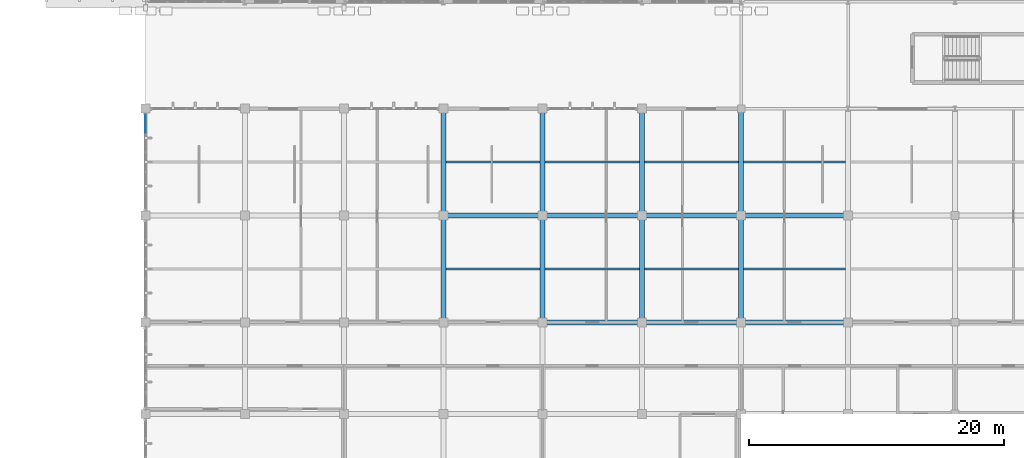
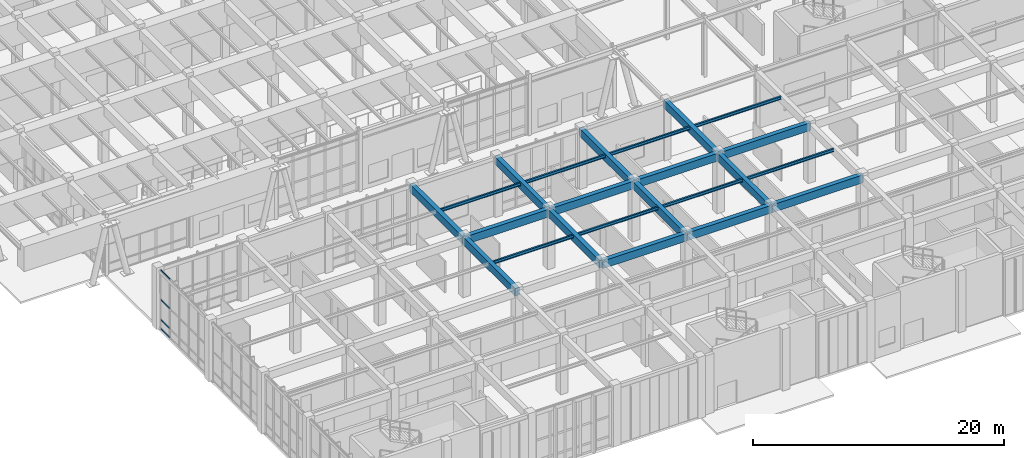
# One storey, part 18 of 110: 23 beams, 4 members, 1 element without a shape of its own.
"""IFC4 building model written with IfcOpenShell, lengths in metres."""

import ifcopenshell
import ifcopenshell.guid

model = None  # the IFC model being written
_history = None  # IfcOwnerHistory: only IFC2X3 demands one
_inside = {}  # id of a spatial element -> (the spatial element, [elements in it])
_under = {}  # id of a project, library or spatial element -> (it, [spatial elements below it])
_declared = {}  # id of a project -> (the project, [libraries it declares])
_typed = {}  # id of a type object -> (the type object, [elements of that type])
_made_of = {}  # id of a material, layer set ... -> (it, [elements and type objects made of it])


def new_model(schema):
    """Start an empty IFC model of exactly this schema.

    Asked for "IFC4X3", IfcOpenShell would pick the latest addendum, in which some entities
    have other attributes; the version numbers below select the first issue.
    IFC2X3 requires an IfcOwnerHistory on every rooted entity: one is made here for all.
    """
    global model, _history
    if schema == "IFC4X3":
        model = ifcopenshell.file(schema_version=(4, 3, 0, 0))
    else:
        model = ifcopenshell.file(schema=schema)
    _inside.clear()
    _under.clear()
    _declared.clear()
    _typed.clear()
    _made_of.clear()
    _history = None
    if model.schema == "IFC2X3":
        org = make("IfcOrganization", Name="unknown")
        user = make(
            "IfcPersonAndOrganization",
            ThePerson=make("IfcPerson", FamilyName="unknown"),
            TheOrganization=org,
        )
        app = make(
            "IfcApplication",
            ApplicationDeveloper=org,
            Version="unknown",
            ApplicationFullName="unknown",
            ApplicationIdentifier="unknown",
        )
        _history = make(
            "IfcOwnerHistory",
            OwningUser=user,
            OwningApplication=app,
            ChangeAction="ADDED",
            CreationDate=0,
        )
    return model


def make(cls, **values):
    """One entity of the class cls with the attributes given. An attribute that is None is left unset."""
    return model.create_entity(
        cls, **{name: value for name, value in values.items() if value is not None}
    )


def rooted(cls, **values):
    """An entity with a GlobalId (a new one), such as an element, a storey or a relation."""
    return make(cls, GlobalId=ifcopenshell.guid.new(), OwnerHistory=_history, **values)


def si_unit(unit_type, name, prefix=None):
    """IfcSIUnit, for example si_unit("LENGTHUNIT", "METRE", prefix="MILLI")."""
    return make("IfcSIUnit", UnitType=unit_type, Prefix=prefix, Name=name)


def assignment(units):
    """IfcUnitAssignment: the units of a project."""
    return None if units is None else make("IfcUnitAssignment", Units=units)


def point(xyz):
    """IfcCartesianPoint."""
    return None if xyz is None else make("IfcCartesianPoint", Coordinates=xyz)


def direction(xyz):
    """IfcDirection."""
    return None if xyz is None else make("IfcDirection", DirectionRatios=xyz)


def frame(location, z_axis=None, x_axis=None):
    """IfcAxis2Placement3D, a coordinate frame: its origin and axes. An axis left out is left unset."""
    return make(
        "IfcAxis2Placement3D",
        Location=point(location),
        Axis=direction(z_axis),
        RefDirection=direction(x_axis),
    )


def frame_2d(location, x_axis=None):
    """IfcAxis2Placement2D, a coordinate frame in the plane: its origin and x axis."""
    return make(
        "IfcAxis2Placement2D", Location=point(location), RefDirection=direction(x_axis)
    )


def origin():
    """The frame at (0, 0, 0) with its axes left unset."""
    return frame((0.0, 0.0, 0.0))


def origin_2d():
    """The frame at (0, 0) in the plane with its x axis left unset."""
    return frame_2d((0.0, 0.0))


def place(relative_to, where):
    """IfcLocalPlacement: puts the frame where relative to a parent placement (None: the world)."""
    return make(
        "IfcLocalPlacement", PlacementRelTo=relative_to, RelativePlacement=where
    )


def context(
    kind, dimensions, precision=None, world=None, true_north=None, identifier=None
):
    """IfcGeometricRepresentationContext, for example the 3D "Model" context."""
    return make(
        "IfcGeometricRepresentationContext",
        ContextIdentifier=identifier,
        ContextType=kind,
        CoordinateSpaceDimension=dimensions,
        Precision=precision,
        WorldCoordinateSystem=world,
        TrueNorth=true_north,
    )


def subcontext(parent, identifier, kind, view, scale=None):
    """IfcGeometricRepresentationSubContext, for example "Body" below "Model"."""
    return make(
        "IfcGeometricRepresentationSubContext",
        ContextIdentifier=identifier,
        ContextType=kind,
        ParentContext=parent,
        TargetScale=scale,
        TargetView=view,
    )


def project(units=None, contexts=None):
    """IfcProject with its units and contexts."""
    return rooted(
        "IfcProject",
        Name="project",
        RepresentationContexts=contexts,
        UnitsInContext=assignment(units),
    )


def spatial(cls, under=None, at=None, **own):
    """A site, building, storey or space (cls), placed at a placement, below another one or the project."""
    s = rooted(cls, ObjectPlacement=at, **own)
    if under is not None:
        _under.setdefault(under.id(), (under, []))[1].append(s)
    return s


def profile(cls, at=None, kind="AREA", **sizes):
    """A parametric profile (cls). Its sizes go by their IFC names, for example OverallWidth=200.0."""
    return make(cls, ProfileType=kind, Position=at, **sizes)


def rectangle(**sizes):
    """IfcRectangleProfileDef."""
    return profile("IfcRectangleProfileDef", **sizes)


def i_section(**sizes):
    """IfcIShapeProfileDef."""
    return profile("IfcIShapeProfileDef", **sizes)


def extrude(swept, where, along, depth):
    """IfcExtrudedAreaSolid: the profile swept, set in the frame where, extruded along a direction by depth."""
    return make(
        "IfcExtrudedAreaSolid",
        SweptArea=swept,
        Position=where,
        ExtrudedDirection=direction(along),
        Depth=depth,
    )


def shape(context_of_items, identifier, shape_type, items):
    """IfcShapeRepresentation: the items that make up one representation, for example the "Body"."""
    return make(
        "IfcShapeRepresentation",
        ContextOfItems=context_of_items,
        RepresentationIdentifier=identifier,
        RepresentationType=shape_type,
        Items=items,
    )


def material(Name=None, Category=None):
    """IfcMaterial."""
    return make("IfcMaterial", Name=Name, Category=Category)


def material_profile(
    of_material, cross_section, Name=None, Category=None, Priority=None
):
    """IfcMaterialProfile: a cross section and its material."""
    return make(
        "IfcMaterialProfile",
        Name=Name,
        Material=of_material,
        Profile=cross_section,
        Priority=Priority,
        Category=Category,
    )


def profile_set(profiles, Name=None, composite=None):
    """IfcMaterialProfileSet."""
    return make(
        "IfcMaterialProfileSet",
        Name=Name,
        MaterialProfiles=profiles,
        CompositeProfile=composite,
    )


def made_of(thing, what):
    """Note that an element or type object is made of a material, layer set ...; save() writes the relation."""
    if what is not None:
        _made_of.setdefault(what.id(), (what, []))[1].append(thing)
    return thing


def type_object(cls, material=None, **own):
    """A type object (cls), such as IfcWallType, which elements share."""
    return made_of(rooted(cls, **own), material)


def element(
    cls,
    number,
    at=None,
    inside=None,
    cuts=None,
    type_object=None,
    material=None,
    context=None,
    identifier="Body",
    shape_type=None,
    held_by="IfcProductDefinitionShape",
    body=None,
    shapes=None,
    **own,
):
    """One element of the class cls, such as IfcWall. Its Tag is "e" and its number.

    at: its placement. inside: the storey or other place that contains it. cuts: it is an
    opening in that element (IfcRelVoidsElement). A single representation is given by context,
    identifier, shape_type and body (its items); several are given by shapes. held_by: the class
    of the entity that holds the representations. save() writes the other relations.
    """
    e = rooted(cls, Tag="e%d" % number, ObjectPlacement=at, **own)
    if body is not None:
        shapes = [shape(context, identifier, shape_type, body)]
    if shapes is not None:
        e.Representation = make(held_by, Representations=shapes)
    if inside is not None:
        _inside.setdefault(inside.id(), (inside, []))[1].append(e)
    if cuts is not None:
        rooted(
            "IfcRelVoidsElement", RelatingBuildingElement=cuts, RelatedOpeningElement=e
        )
    if type_object is not None:
        _typed.setdefault(type_object.id(), (type_object, []))[1].append(e)
    return made_of(e, material)


def aggregate(whole, parts):
    """IfcRelAggregates: a whole, such as a stair, and the parts it consists of."""
    return rooted("IfcRelAggregates", RelatingObject=whole, RelatedObjects=parts)


def save(model, path):
    """Write the relations noted so far, then the file.

    IfcRelAggregates (storeys below a building ...), IfcRelContainedInSpatialStructure (elements
    in a storey), IfcRelDefinesByType, IfcRelAssociatesMaterial and IfcRelDeclares: one each for
    every whole, place, type object, material and project.
    """
    for whole, parts in _under.values():
        aggregate(whole, parts)
    for where, things in _inside.values():
        rooted(
            "IfcRelContainedInSpatialStructure",
            RelatedElements=things,
            RelatingStructure=where,
        )
    for kind, things in _typed.values():
        rooted("IfcRelDefinesByType", RelatedObjects=things, RelatingType=kind)
    for what, things in _made_of.values():
        rooted("IfcRelAssociatesMaterial", RelatedObjects=things, RelatingMaterial=what)
    for by, libraries in _declared.values():
        rooted("IfcRelDeclares", RelatingContext=by, RelatedDefinitions=libraries)
    model.write(path)


model = new_model("IFC4")

# Units and contexts
model_context = context("Model", 3, precision=1e-05, world=origin(), true_north=direction((0.0, 1.0)))
body_context = subcontext(model_context, "Body", "Model", "MODEL_VIEW")
ifc_project = project(units=[si_unit("LENGTHUNIT", "METRE"), si_unit("AREAUNIT", "SQUARE_METRE"), si_unit("VOLUMEUNIT", "CUBIC_METRE"), si_unit("PLANEANGLEUNIT", "RADIAN"), si_unit("MASSUNIT", "GRAM", prefix="KILO")], contexts=[model_context])

# Site, building, storey
site_placement = place(None, origin())
site = spatial("IfcSite", under=ifc_project, at=site_placement, CompositionType="ELEMENT")
building_placement = place(site_placement, origin())
building = spatial("IfcBuilding", under=site, at=building_placement, Name="Tizgana Railside Sports Hall", CompositionType="ELEMENT")
storey_placement = place(building_placement, origin())
storey = spatial("IfcBuildingStorey", under=building, at=storey_placement, Name="L00", CompositionType="ELEMENT", Elevation=0.0)

# Beams
ifc_material_1 = material(Name="Concrete C35/45", Category="concrete")
ifc_material_profile_1 = material_profile(ifc_material_1, rectangle(XDim=0.39990234375, YDim=0.75, at=origin_2d()), Name="RCB 400x750")
ifc_profile_set_1 = profile_set([ifc_material_profile_1], Name="Concrete C35/45")
beam_type_1 = type_object("IfcBeamType", Name="Concrete Beam RCB 400x750", PredefinedType="BEAM", material=ifc_profile_set_1)
for number, where, z_axis, x_axis, name in (
    (1, (31.199951171875, 15.60009765625, 5.37109375), (0.0, 1.0, 0.0), (-1.0, 0.0, 0.0), "L00 BEM-0346"),
    (2, (31.199951171875, 24.0, 5.37109375), (0.0, 1.0, 0.0), (-1.0, 0.0, 0.0), "L00 BEM-0347"),
    (3, (39.0, 15.60009765625, 5.37109375), (0.0, 1.0, 0.0), (-1.0, 0.0, 0.0), "L00 BEM-0350"),
    (4, (39.0, 24.0, 5.37109375), (0.0, 1.0, 0.0), (-1.0, 0.0, 0.0), "L00 BEM-0351"),
    (5, (46.800048828125, 15.60009765625, 5.37109375), (0.0, 1.0, 0.0), (-1.0, 0.0, 0.0), "L00 BEM-0353"),
    (6, (46.800048828125, 24.0, 5.37109375), (0.0, 1.0, 0.0), (-1.0, 0.0, 0.0), "L00 BEM-0354"),
    (7, (54.60009765625, 15.60009765625, 5.37109375), (0.0, 1.0, 0.0), (-1.0, 0.0, 0.0), "L00 BEM-0357"),
    (8, (54.60009765625, 24.0, 5.37109375), (0.0, 1.0, 0.0), (-1.0, 0.0, 0.0), "L00 BEM-0358"),
):
    element("IfcBeam", number, at=place(storey_placement, frame(where, z_axis=z_axis, x_axis=x_axis)), inside=storey, type_object=beam_type_1, Name=name, PredefinedType="BEAM", context=body_context, shape_type="SweptSolid", body=[
        extrude(rectangle(XDim=0.39990234375, YDim=0.75, at=origin_2d()), origin(), (0.0, 0.0, 1.0), 8.39990234375),
    ])
for number, where, z_axis, x_axis, name in (
    (9, (31.199951171875, 24.0, 5.37109375), (1.0, 0.0, 0.0), (0.0, 1.0, 0.0), "L00 BEM-0404"),
    (10, (39.0, 15.60009765625, 5.37109375), (1.0, 0.0, 0.0), (0.0, 1.0, 0.0), "L00 BEM-0411"),
    (11, (39.0, 24.0, 5.37109375), (1.0, 0.0, 0.0), (0.0, 1.0, 0.0), "L00 BEM-0412"),
    (12, (46.800048828125, 15.60009765625, 5.37109375), (1.0, 0.0, 0.0), (0.0, 1.0, 0.0), "L00 BEM-0418"),
    (13, (46.800048828125, 24.0, 5.37109375), (1.0, 0.0, 0.0), (0.0, 1.0, 0.0), "L00 BEM-0419"),
):
    element("IfcBeam", number, at=place(storey_placement, frame(where, z_axis=z_axis, x_axis=x_axis)), inside=storey, type_object=beam_type_1, Name=name, PredefinedType="BEAM", context=body_context, shape_type="SweptSolid", body=[
        extrude(rectangle(XDim=0.39990234375, YDim=0.75, at=origin_2d()), origin(), (0.0, 0.0, 1.0), 7.800048828125),
    ])
for number, where, z_axis, x_axis, name in (
    (14, (54.60009765625, 15.60009765625, 5.37109375), (1.0, 0.0, 0.0), (0.0, 1.0, 0.0), "L00 BEM-0425"),
    (15, (54.60009765625, 24.0, 5.37109375), (1.0, 0.0, 0.0), (0.0, 1.0, 0.0), "L00 BEM-0426"),
):
    element("IfcBeam", number, at=place(storey_placement, frame(where, z_axis=z_axis, x_axis=x_axis)), inside=storey, type_object=beam_type_1, Name=name, PredefinedType="BEAM", context=body_context, shape_type="SweptSolid", body=[
        extrude(rectangle(XDim=0.39990234375, YDim=0.75, at=origin_2d()), origin(), (0.0, 0.0, 1.0), 8.39990234375),
    ])
ifc_material_2 = material(Name="Steel S355J2", Category="steel")
ifc_material_profile_2 = material_profile(ifc_material_2, i_section(OverallWidth=0.14990234375, OverallDepth=0.300048828125, WebThickness=0.007080078125, FlangeThickness=0.0107421875, FilletRadius=0.014892578125, at=origin_2d()), Name="IPE 300")
ifc_profile_set_2 = profile_set([ifc_material_profile_2], Name="Steel S355J2")
beam_type_2 = type_object("IfcBeamType", Name="Steel Joist IPE 300", PredefinedType="JOIST", material=ifc_profile_set_2)
for number, where, z_axis, x_axis, name in (
    (16, (31.39501953125, 19.800048828125, 5.595947265625), (1.0, 0.0, 0.0), (0.0, 1.0, 0.0), "L00 BEM-0408"),
    (17, (31.39501953125, 28.199951171875, 5.595947265625), (1.0, 0.0, 0.0), (0.0, 1.0, 0.0), "L00 BEM-0409"),
    (18, (39.195068359375, 19.800048828125, 5.595947265625), (1.0, 0.0, 0.0), (0.0, 1.0, 0.0), "L00 BEM-0415"),
    (19, (39.195068359375, 28.199951171875, 5.595947265625), (1.0, 0.0, 0.0), (0.0, 1.0, 0.0), "L00 BEM-0416"),
    (20, (46.9951171875, 19.800048828125, 5.595947265625), (1.0, 0.0, 0.0), (0.0, 1.0, 0.0), "L00 BEM-0422"),
    (21, (46.9951171875, 28.199951171875, 5.595947265625), (1.0, 0.0, 0.0), (0.0, 1.0, 0.0), "L00 BEM-0423"),
):
    element("IfcBeam", number, at=place(storey_placement, frame(where, z_axis=z_axis, x_axis=x_axis)), inside=storey, type_object=beam_type_2, Name=name, PredefinedType="JOIST", context=body_context, shape_type="SweptSolid", body=[
        extrude(i_section(OverallWidth=0.14990234375, OverallDepth=0.300048828125, WebThickness=0.007080078125, FlangeThickness=0.0107421875, FilletRadius=0.014892578125, at=origin_2d()), origin(), (0.0, 0.0, 1.0), 7.409912109375),
    ])
for number, where, z_axis, x_axis, name in (
    (22, (54.794921875, 19.800048828125, 5.595947265625), (1.0, 0.0, 0.0), (0.0, 1.0, 0.0), "L00 BEM-0429"),
    (23, (54.794921875, 28.199951171875, 5.595947265625), (1.0, 0.0, 0.0), (0.0, 1.0, 0.0), "L00 BEM-0430"),
):
    element("IfcBeam", number, at=place(storey_placement, frame(where, z_axis=z_axis, x_axis=x_axis)), inside=storey, type_object=beam_type_2, Name=name, PredefinedType="JOIST", context=body_context, shape_type="SweptSolid", body=[
        extrude(i_section(OverallWidth=0.14990234375, OverallDepth=0.300048828125, WebThickness=0.007080078125, FlangeThickness=0.0107421875, FilletRadius=0.014892578125, at=origin_2d()), origin(), (0.0, 0.0, 1.0), 8.010009765625),
    ])

# Curtain wall, members
ifc_material_3 = material(Name="Anodised aluminium and glass", Category="aluminium")
curtain_wall_type = type_object("IfcCurtainWallType", Name="Unitised Curtain Wall Passage 1800", PredefinedType="NOTDEFINED", material=ifc_material_3)
curtain_wall_placement = place(storey_placement, origin())
curtain_wall = element("IfcCurtainWall", 24, at=curtain_wall_placement, inside=storey, type_object=curtain_wall_type, Name="L00 Curtain Wall CW-0085", PredefinedType="NOTDEFINED")
ifc_material_4 = material(Name="Anodised aluminium", Category="aluminium")
ifc_material_profile_3 = material_profile(ifc_material_4, rectangle(XDim=0.06005859375, YDim=0.1298828125, at=origin_2d()), Name="Transom 60x130")
ifc_profile_set_3 = profile_set([ifc_material_profile_3], Name="Anodised aluminium")
member_type = type_object("IfcMemberType", Name="Transom 60x130", PredefinedType="USERDEFINED", material=ifc_profile_set_3)
member_1_placement = place(storey_placement, frame((7.800048828125, 31.93505859375, 0.074951171875), z_axis=(0.0, -1.0, 0.0), x_axis=(1.0, 0.0, 0.0)))
member_1 = element("IfcMember", 25, at=member_1_placement, type_object=member_type, Name="CW-06 transom 1.1", ObjectType="TRANSOM", PredefinedType="USERDEFINED", context=body_context, shape_type="SweptSolid", body=[
    extrude(rectangle(XDim=0.06005859375, YDim=0.1298828125, at=origin_2d()), origin(), (0.0, 0.0, 1.0), 1.427978515625),
])
member_2_placement = place(storey_placement, frame((7.800048828125, 31.93505859375, 0.945068359375), z_axis=(0.0, -1.0, 0.0), x_axis=(1.0, 0.0, 0.0)))
member_2 = element("IfcMember", 26, at=member_2_placement, type_object=member_type, Name="CW-06 transom 1.2", ObjectType="TRANSOM", PredefinedType="USERDEFINED", context=body_context, shape_type="SweptSolid", body=[
    extrude(rectangle(XDim=0.06005859375, YDim=0.1298828125, at=origin_2d()), origin(), (0.0, 0.0, 1.0), 1.427978515625),
])
member_3_placement = place(storey_placement, frame((7.800048828125, 31.93505859375, 2.8974609375), z_axis=(0.0, -1.0, 0.0), x_axis=(1.0, 0.0, 0.0)))
member_3 = element("IfcMember", 27, at=member_3_placement, type_object=member_type, Name="CW-06 transom 1.3", ObjectType="TRANSOM", PredefinedType="USERDEFINED", context=body_context, shape_type="SweptSolid", body=[
    extrude(rectangle(XDim=0.06005859375, YDim=0.1298828125, at=origin_2d()), origin(), (0.0, 0.0, 1.0), 1.427978515625),
])
member_4_placement = place(storey_placement, frame((7.800048828125, 31.93505859375, 5.719970703125), z_axis=(0.0, -1.0, 0.0), x_axis=(1.0, 0.0, 0.0)))
member_4 = element("IfcMember", 28, at=member_4_placement, type_object=member_type, Name="CW-06 transom 1.4", ObjectType="TRANSOM", PredefinedType="USERDEFINED", context=body_context, shape_type="SweptSolid", body=[
    extrude(rectangle(XDim=0.06005859375, YDim=0.1298828125, at=origin_2d()), origin(), (0.0, 0.0, 1.0), 1.427978515625),
])
aggregate(curtain_wall, [member_1, member_2, member_3, member_4])

save(model, "model.ifc")
